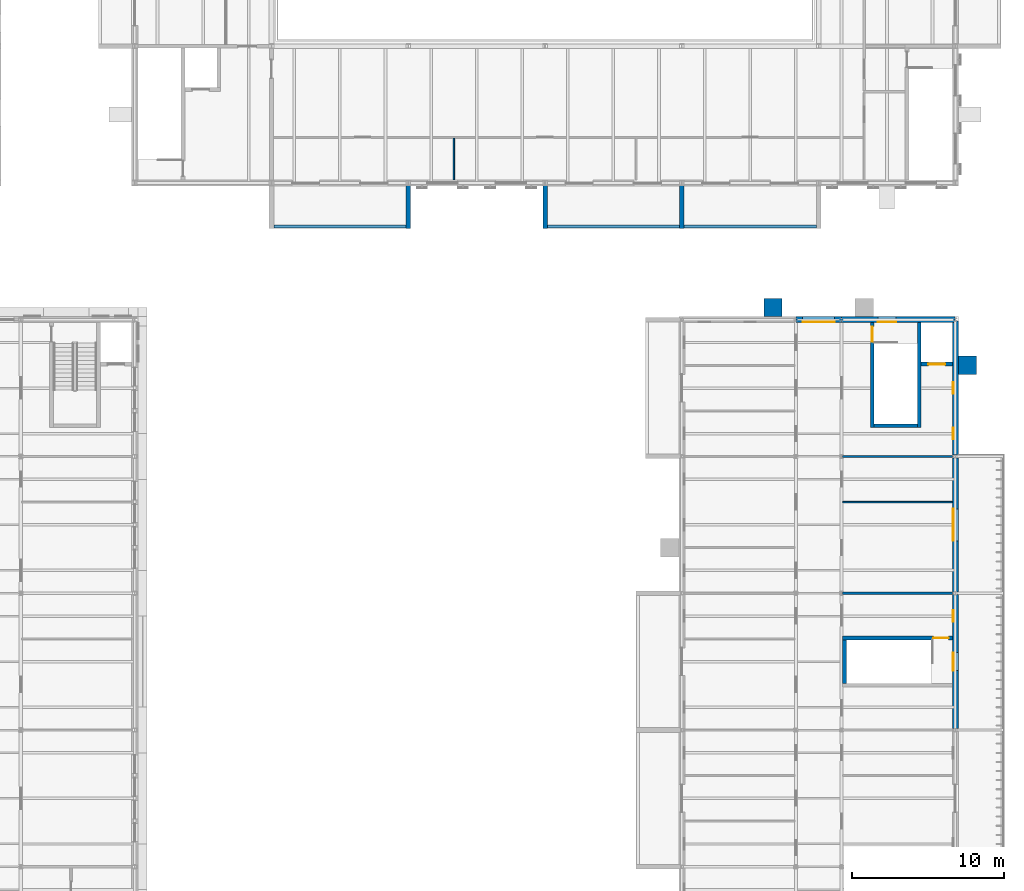
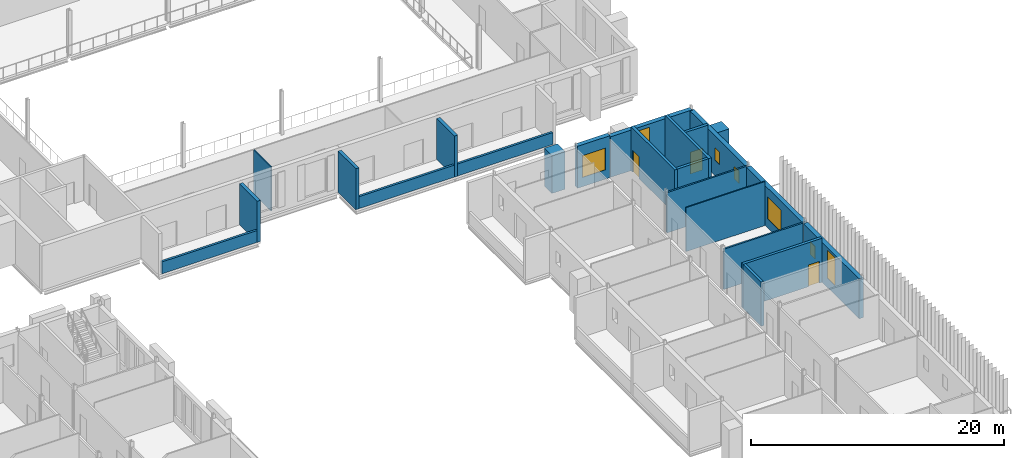
# One storey, part 93 of 131: 23 walls, 7 windows, 3 doors, 10 openings.
"""IFC4 building model written with IfcOpenShell, lengths in metres."""

from ifc_helpers import new_model, si_unit, direction, frame, frame_2d, origin, place, context, subcontext, project, spatial, rectangle, extrude, material, layer, layer_set, type_object, element, fill, save


model = new_model("IFC4")

# Units and contexts
model_context = context("Model", 3, precision=1e-05, world=origin(), true_north=direction((0.0, 1.0)))
body_context = subcontext(model_context, "Body", "Model", "MODEL_VIEW")
ifc_project = project(units=[si_unit("LENGTHUNIT", "METRE"), si_unit("AREAUNIT", "SQUARE_METRE"), si_unit("VOLUMEUNIT", "CUBIC_METRE"), si_unit("PLANEANGLEUNIT", "RADIAN"), si_unit("MASSUNIT", "GRAM", prefix="KILO")], contexts=[model_context])

# Site, building, storey
site_placement = place(None, origin())
site = spatial("IfcSite", under=ifc_project, at=site_placement, CompositionType="ELEMENT")
building_placement = place(site_placement, origin())
building = spatial("IfcBuilding", under=site, at=building_placement, Name="Golden Quay Civic Hall", CompositionType="ELEMENT")
storey_placement = place(building_placement, frame((0.0, 0.0, 9.89990234375)))
storey = spatial("IfcBuildingStorey", under=building, at=storey_placement, Name="L02", CompositionType="ELEMENT", Elevation=9.89990234375)

# Walls
ifc_material_1 = material(Name="Brick, dark clay facing", Category="masonry")
ifc_layer_1 = layer(ifc_material_1, 0.199951171875)
ifc_layer_set_1 = layer_set([ifc_layer_1], Name="Brick balustrade wall 200")
wall_type_1 = type_object("IfcWallType", Name="Brick balustrade wall 200", PredefinedType="STANDARD", material=ifc_layer_set_1)
for number, where, z_axis, x_axis, name in (
    (1, (126.14990234375, 60.1201171875, 0.0), (0.0, 0.0, 1.0), (1.0, 0.0, 0.0), "Brick balustrade wall 200 L02 7"),
    (2, (144.14990234375, 60.1201171875, 0.0), (0.0, 0.0, 1.0), (1.0, 0.0, 0.0), "Brick balustrade wall 200 L02 8"),
    (3, (153.14990234375, 60.1201171875, 0.0), (0.0, 0.0, 1.0), (1.0, 0.0, 0.0), "Brick balustrade wall 200 L02 9"),
):
    element("IfcWall", number, at=place(storey_placement, frame(where, z_axis=z_axis, x_axis=x_axis)), inside=storey, type_object=wall_type_1, Name=name, PredefinedType="STANDARD", context=body_context, shape_type="SweptSolid", body=[
        extrude(rectangle(XDim=8.7001953125, YDim=0.199951171875, at=frame_2d((4.35009765625, 0.0))), origin(), (0.0, 0.0, 1.0), 1.150146484375),
    ])

# Wall, opening, window
ifc_material_2 = material(Name="Brick, dark clay facing", Category="masonry")
ifc_layer_2 = layer(ifc_material_2, 0.39990234375)
ifc_layer_set_2 = layer_set([ifc_layer_2], Name="Brick external wall 400")
wall_type_2 = type_object("IfcWallType", Name="Brick external wall 400", PredefinedType="STANDARD", material=ifc_layer_set_2)
wall_1_placement = place(storey_placement, frame((160.50830078125, 54.0, 0.0), z_axis=(0.0, 0.0, 1.0), x_axis=(1.0, 0.0, 0.0)))
wall_1 = element("IfcWall", 4, at=wall_1_placement, inside=storey, type_object=wall_type_2, Name="Brick external wall 400 L02 19", PredefinedType="STANDARD", context=body_context, shape_type="SweptSolid", body=[
    extrude(rectangle(XDim=2.9833984375, YDim=0.39990234375, at=frame_2d((1.49169921875, 0.0))), origin(), (0.0, 0.0, 1.0), 4.050048828125),
])
opening_1_placement = place(wall_1_placement, frame((0.441650390625, 0.0, 0.89990234375)))
opening_1 = element("IfcOpeningElement", 5, at=opening_1_placement, cuts=wall_1, Name="Opening WN2", PredefinedType="OPENING", context=body_context, shape_type="SweptSolid", body=[
    extrude(rectangle(XDim=2.10009765625, YDim=2.10009765625, at=frame_2d((1.050048828125, 1.050048828125))), frame((0.0, 0.2099609375, 0.0), z_axis=(0.0, -1.0, 0.0), x_axis=(1.0, 0.0, 0.0)), (0.0, 0.0, 1.0), 0.419921875),
])
ifc_material_3 = material(Name="Aluminium frame, double glazed", Category="aluminium")
window_type_1 = type_object("IfcWindowType", Name="Corridor end window 2100 x 2100", PartitioningType="SINGLE_PANEL", PredefinedType="WINDOW", material=ifc_material_3)
window_1_placement = place(opening_1_placement, origin())
window_1 = element("IfcWindow", 6, at=window_1_placement, inside=storey, type_object=window_type_1, Name="Corridor end window 2100 x 2100 L02 4", OverallHeight=2.10009765625, OverallWidth=2.10009765625, PartitioningType="SINGLE_PANEL", PredefinedType="WINDOW", context=body_context, shape_type="SweptSolid", body=[
    extrude(rectangle(XDim=2.10009765625, YDim=2.10009765625, at=frame_2d((1.050048828125, 1.050048828125))), frame((0.0, -0.119873046875, 0.0), z_axis=(0.0, -1.0, 0.0), x_axis=(1.0, 0.0, 0.0)), (0.0, 0.0, 1.0), 0.06005859375),
])
fill(opening_1, window_1)

wall_2_placement = place(storey_placement, frame((171.0, 44.905029296875, 0.0), z_axis=(0.0, 0.0, 1.0), x_axis=(0.0, -1.0, 0.0)))
wall_2 = element("IfcWall", 7, at=wall_2_placement, inside=storey, type_object=wall_type_2, Name="Brick external wall 400 L02 23", PredefinedType="STANDARD", context=body_context, shape_type="SweptSolid", body=[
    extrude(rectangle(XDim=8.81005859375, YDim=0.39990234375, at=frame_2d((4.405029296875, 0.0))), origin(), (0.0, 0.0, 1.0), 3.85009765625),
])
opening_2_placement = place(wall_2_placement, frame((3.35498046875, 0.0, 0.89990234375)))
opening_2 = element("IfcOpeningElement", 8, at=opening_2_placement, cuts=wall_2, Name="Opening WN2", PredefinedType="OPENING", context=body_context, shape_type="SweptSolid", body=[
    extrude(rectangle(XDim=2.10009765625, YDim=2.10009765625, at=frame_2d((1.050048828125, 1.050048828125))), frame((0.0, 0.2099609375, 0.0), z_axis=(0.0, -1.0, 0.0), x_axis=(1.0, 0.0, 0.0)), (0.0, 0.0, 1.0), 0.419921875),
])
window_2_placement = place(opening_2_placement, origin())
window_2 = element("IfcWindow", 9, at=window_2_placement, inside=storey, type_object=window_type_1, Name="Corridor end window 2100 x 2100 L02 5", OverallHeight=2.10009765625, OverallWidth=2.10009765625, PartitioningType="SINGLE_PANEL", PredefinedType="WINDOW", context=body_context, shape_type="SweptSolid", body=[
    extrude(rectangle(XDim=2.10009765625, YDim=2.10009765625, at=frame_2d((1.050048828125, 1.050048828125))), frame((0.0, -0.119873046875, 0.0), z_axis=(0.0, -1.0, 0.0), x_axis=(1.0, 0.0, 0.0)), (0.0, 0.0, 1.0), 0.06005859375),
])
fill(opening_2, window_2)

ifc_material_4 = material(Name="Brick, dark clay facing", Category="masonry")
ifc_layer_3 = layer(ifc_material_4, 0.39990234375)
ifc_layer_set_3 = layer_set([ifc_layer_3], Name="Brick external wall 400 fire EI 60")
wall_type_3 = type_object("IfcWallType", Name="Brick external wall 400 fire EI 60", PredefinedType="STANDARD", material=ifc_layer_set_3)
wall_3_placement = place(storey_placement, frame((163.50830078125, 54.0, 0.0), z_axis=(0.0, 0.0, 1.0), x_axis=(1.0, 0.0, 0.0)))
wall_3 = element("IfcWall", 10, at=wall_3_placement, inside=storey, type_object=wall_type_3, Name="Brick external wall 400 fire EI 60 L02 2", PredefinedType="STANDARD", context=body_context, shape_type="SweptSolid", body=[
    extrude(rectangle(XDim=7.4833984375, YDim=0.39990234375, at=frame_2d((3.74169921875, 0.0))), origin(), (0.0, 0.0, 1.0), 3.920166015625),
])
opening_3_placement = place(wall_3_placement, frame((2.391845703125, 0.0, 0.89990234375)))
opening_3 = element("IfcOpeningElement", 11, at=opening_3_placement, cuts=wall_3, Name="Opening WN13", PredefinedType="OPENING", context=body_context, shape_type="SweptSolid", body=[
    extrude(rectangle(XDim=1.199951171875, YDim=2.699951171875, at=frame_2d((0.60009765625, 1.35009765625))), frame((0.0, 0.2099609375, 0.0), z_axis=(0.0, -1.0, 0.0), x_axis=(1.0, 0.0, 0.0)), (0.0, 0.0, 1.0), 0.419921875),
])
ifc_material_5 = material(Name="Aluminium frame, double glazed", Category="aluminium")
window_type_2 = type_object("IfcWindowType", Name="Stair light window 1200 x 2700", PartitioningType="SINGLE_PANEL", PredefinedType="WINDOW", material=ifc_material_5)
window_3_placement = place(opening_3_placement, origin())
window_3 = element("IfcWindow", 12, at=window_3_placement, inside=storey, type_object=window_type_2, Name="Stair light window 1200 x 2700 L02 2", OverallHeight=2.699951171875, OverallWidth=1.199951171875, PartitioningType="SINGLE_PANEL", PredefinedType="WINDOW", context=body_context, shape_type="SweptSolid", body=[
    extrude(rectangle(XDim=1.199951171875, YDim=2.699951171875, at=frame_2d((0.60009765625, 1.35009765625))), frame((0.0, -0.119873046875, 0.0), z_axis=(0.0, -1.0, 0.0), x_axis=(1.0, 0.0, 0.0)), (0.0, 0.0, 1.0), 0.06005859375),
])
fill(opening_3, window_3)

# Wall, openings, windows
wall_4_placement = place(storey_placement, frame((171.0, 35.905029296875, 0.0), z_axis=(0.0, 0.0, 1.0), x_axis=(0.0, -1.0, 0.0)))
wall_4 = element("IfcWall", 13, at=wall_4_placement, inside=storey, type_object=wall_type_3, Name="Brick external wall 400 fire EI 60 L02 3", PredefinedType="STANDARD", context=body_context, shape_type="SweptSolid", body=[
    extrude(rectangle(XDim=8.81005859375, YDim=0.39990234375, at=frame_2d((4.405029296875, 0.0))), origin(), (0.0, 0.0, 1.0), 3.85009765625),
])
opening_4_placement = place(wall_4_placement, frame((3.804931640625, 0.0, 0.89990234375)))
opening_4 = element("IfcOpeningElement", 14, at=opening_4_placement, cuts=wall_4, Name="Opening WN13", PredefinedType="OPENING", context=body_context, shape_type="SweptSolid", body=[
    extrude(rectangle(XDim=1.199951171875, YDim=2.699951171875, at=frame_2d((0.60009765625, 1.35009765625))), frame((0.0, 0.2099609375, 0.0), z_axis=(0.0, -1.0, 0.0), x_axis=(1.0, 0.0, 0.0)), (0.0, 0.0, 1.0), 0.419921875),
])
opening_5_placement = place(wall_4_placement, frame((1.030029296875, 0.0, 1.5)))
opening_5 = element("IfcOpeningElement", 15, at=opening_5_placement, cuts=wall_4, Name="Opening WN11", PredefinedType="OPENING", context=body_context, shape_type="SweptSolid", body=[
    extrude(rectangle(XDim=0.75, YDim=1.199951171875, at=frame_2d((0.375, 0.60009765625))), frame((0.0, 0.2099609375, 0.0), z_axis=(0.0, -1.0, 0.0), x_axis=(1.0, 0.0, 0.0)), (0.0, 0.0, 1.0), 0.419921875),
])
ifc_material_6 = material(Name="Aluminium frame, double glazed", Category="aluminium")
window_type_3 = type_object("IfcWindowType", Name="Attic pair window 750 x 1200", PartitioningType="SINGLE_PANEL", PredefinedType="WINDOW", material=ifc_material_6)
window_4_placement = place(opening_5_placement, origin())
window_4 = element("IfcWindow", 16, at=window_4_placement, inside=storey, type_object=window_type_3, Name="Attic pair window 750 x 1200 L02 26", OverallHeight=1.199951171875, OverallWidth=0.75, PartitioningType="SINGLE_PANEL", PredefinedType="WINDOW", context=body_context, shape_type="SweptSolid", body=[
    extrude(rectangle(XDim=0.75, YDim=1.199951171875, at=frame_2d((0.375, 0.60009765625))), frame((0.0, -0.119873046875, 0.0), z_axis=(0.0, -1.0, 0.0), x_axis=(1.0, 0.0, 0.0)), (0.0, 0.0, 1.0), 0.06005859375),
])
fill(opening_5, window_4)
window_5_placement = place(opening_4_placement, origin())
window_5 = element("IfcWindow", 17, at=window_5_placement, inside=storey, type_object=window_type_2, Name="Stair light window 1200 x 2700 L02 3", OverallHeight=2.699951171875, OverallWidth=1.199951171875, PartitioningType="SINGLE_PANEL", PredefinedType="WINDOW", context=body_context, shape_type="SweptSolid", body=[
    extrude(rectangle(XDim=1.199951171875, YDim=2.699951171875, at=frame_2d((0.60009765625, 1.35009765625))), frame((0.0, -0.119873046875, 0.0), z_axis=(0.0, -1.0, 0.0), x_axis=(1.0, 0.0, 0.0)), (0.0, 0.0, 1.0), 0.06005859375),
])
fill(opening_4, window_5)

wall_5_placement = place(storey_placement, frame((171.0, 53.905029296875, 0.0), z_axis=(0.0, 0.0, 1.0), x_axis=(0.0, -1.0, 0.0)))
wall_5 = element("IfcWall", 18, at=wall_5_placement, inside=storey, type_object=wall_type_3, Name="Brick external wall 400 fire EI 60 L02 4", PredefinedType="STANDARD", context=body_context, shape_type="SweptSolid", body=[
    extrude(rectangle(XDim=8.81005859375, YDim=0.39990234375, at=frame_2d((4.405029296875, 0.0))), origin(), (0.0, 0.0, 1.0), 3.85009765625),
])
opening_6_placement = place(wall_5_placement, frame((7.030029296875, 0.0, 1.5)))
opening_6 = element("IfcOpeningElement", 19, at=opening_6_placement, cuts=wall_5, Name="Opening WN11", PredefinedType="OPENING", context=body_context, shape_type="SweptSolid", body=[
    extrude(rectangle(XDim=0.75, YDim=1.199951171875, at=frame_2d((0.375, 0.60009765625))), frame((0.0, 0.2099609375, 0.0), z_axis=(0.0, -1.0, 0.0), x_axis=(1.0, 0.0, 0.0)), (0.0, 0.0, 1.0), 0.419921875),
])
opening_7_placement = place(wall_5_placement, frame((4.030029296875, 0.0, 1.5)))
opening_7 = element("IfcOpeningElement", 20, at=opening_7_placement, cuts=wall_5, Name="Opening WN11", PredefinedType="OPENING", context=body_context, shape_type="SweptSolid", body=[
    extrude(rectangle(XDim=0.75, YDim=1.199951171875, at=frame_2d((0.375, 0.60009765625))), frame((0.0, 0.2099609375, 0.0), z_axis=(0.0, -1.0, 0.0), x_axis=(1.0, 0.0, 0.0)), (0.0, 0.0, 1.0), 0.419921875),
])
window_6_placement = place(opening_6_placement, origin())
window_6 = element("IfcWindow", 21, at=window_6_placement, inside=storey, type_object=window_type_3, Name="Attic pair window 750 x 1200 L02 27", OverallHeight=1.199951171875, OverallWidth=0.75, PartitioningType="SINGLE_PANEL", PredefinedType="WINDOW", context=body_context, shape_type="SweptSolid", body=[
    extrude(rectangle(XDim=0.75, YDim=1.199951171875, at=frame_2d((0.375, 0.60009765625))), frame((0.0, -0.119873046875, 0.0), z_axis=(0.0, -1.0, 0.0), x_axis=(1.0, 0.0, 0.0)), (0.0, 0.0, 1.0), 0.06005859375),
])
fill(opening_6, window_6)
window_7_placement = place(opening_7_placement, origin())
window_7 = element("IfcWindow", 22, at=window_7_placement, inside=storey, type_object=window_type_3, Name="Attic pair window 750 x 1200 L02 28", OverallHeight=1.199951171875, OverallWidth=0.75, PartitioningType="SINGLE_PANEL", PredefinedType="WINDOW", context=body_context, shape_type="SweptSolid", body=[
    extrude(rectangle(XDim=0.75, YDim=1.199951171875, at=frame_2d((0.375, 0.60009765625))), frame((0.0, -0.119873046875, 0.0), z_axis=(0.0, -1.0, 0.0), x_axis=(1.0, 0.0, 0.0)), (0.0, 0.0, 1.0), 0.06005859375),
])
fill(opening_7, window_7)

# Walls
ifc_material_7 = material(Name="Brick, dark clay facing", Category="masonry")
ifc_layer_4 = layer(ifc_material_7, 0.300048828125)
ifc_layer_set_4 = layer_set([ifc_layer_4], Name="Brick loggia wall 300")
wall_type_4 = type_object("IfcWallType", Name="Brick loggia wall 300", PredefinedType="STANDARD", material=ifc_layer_set_4)
for number, where, z_axis, x_axis, name in (
    (23, (135.0, 62.820068359375, 0.0), (0.0, 0.0, 1.0), (0.0, -1.0, 0.0), "Brick loggia wall 300 L02 12"),
    (24, (144.0, 62.820068359375, 0.0), (0.0, 0.0, 1.0), (0.0, -1.0, 0.0), "Brick loggia wall 300 L02 13"),
    (25, (153.0, 62.820068359375, 0.0), (0.0, 0.0, 1.0), (0.0, -1.0, 0.0), "Brick loggia wall 300 L02 14"),
):
    element("IfcWall", number, at=place(storey_placement, frame(where, z_axis=z_axis, x_axis=x_axis)), inside=storey, type_object=wall_type_4, Name=name, PredefinedType="STANDARD", context=body_context, shape_type="SweptSolid", body=[
        extrude(rectangle(XDim=2.820068359375, YDim=0.300048828125, at=frame_2d((1.41015625, 0.0))), origin(), (0.0, 0.0, 1.0), 3.97021484375),
    ])
ifc_material_8 = material(Name="Brick, dark clay facing", Category="masonry")
ifc_layer_5 = layer(ifc_material_8, 1.199951171875)
ifc_layer_set_5 = layer_set([ifc_layer_5], Name="Brick pilaster 1200 x 1200")
wall_type_5 = type_object("IfcWallType", Name="Brick pilaster 1200 x 1200", PredefinedType="STANDARD", material=ifc_layer_set_5)
for number, where, z_axis, x_axis, name in (
    (26, (158.39990234375, 54.800048828125, 0.0), (0.0, 0.0, 1.0), (1.0, 0.0, 0.0), "Brick pilaster 1200 x 1200 L02 10"),
    (27, (171.800048828125, 50.39990234375, 0.0), (0.0, 0.0, 1.0), (0.0, 1.0, 0.0), "Brick pilaster 1200 x 1200 L02 13"),
):
    element("IfcWall", number, at=place(storey_placement, frame(where, z_axis=z_axis, x_axis=x_axis)), inside=storey, type_object=wall_type_5, Name=name, PredefinedType="STANDARD", context=body_context, shape_type="SweptSolid", body=[
        extrude(rectangle(XDim=1.2001953125, YDim=1.199951171875, at=frame_2d((0.60009765625, 0.0))), origin(), (0.0, 0.0, 1.0), 3.650146484375),
    ])
ifc_material_9 = material(Name="Concrete C40/50", Category="concrete")
ifc_layer_6 = layer(ifc_material_9, 0.25)
ifc_layer_set_6 = layer_set([ifc_layer_6], Name="Concrete core wall 250, Concrete C40/50")
wall_type_6 = type_object("IfcWallType", Name="Concrete core wall 250", PredefinedType="SHEAR", material=ifc_layer_set_6)
wall_6_placement = place(storey_placement, frame((168.625, 46.89990234375, 0.0), z_axis=(0.0, 0.0, 1.0), x_axis=(0.0, 1.0, 0.0)))
element("IfcWall", 28, at=wall_6_placement, inside=storey, type_object=wall_type_6, Name="Core wall EO-N-W1", PredefinedType="SHEAR", context=body_context, shape_type="SweptSolid", body=[
    extrude(rectangle(XDim=6.900146484375, YDim=0.25, at=frame_2d((3.4501953125, 0.0))), origin(), (0.0, 0.0, 1.0), 4.25),
])

# Wall, opening, door
wall_7_placement = place(storey_placement, frame((165.52490234375, 46.89990234375, 0.0), z_axis=(0.0, 0.0, 1.0), x_axis=(0.0, 1.0, 0.0)))
wall_7 = element("IfcWall", 29, at=wall_7_placement, inside=storey, type_object=wall_type_6, Name="Core wall EO-N-W2", PredefinedType="SHEAR", context=body_context, shape_type="SweptSolid", body=[
    extrude(rectangle(XDim=6.900146484375, YDim=0.25, at=frame_2d((3.4501953125, 0.0))), origin(), (0.0, 0.0, 1.0), 4.25),
])
opening_8_placement = place(wall_7_placement, frame((5.64990234375, 0.0, 0.0)))
opening_8 = element("IfcOpeningElement", 30, at=opening_8_placement, cuts=wall_7, Name="Opening L02-D156", PredefinedType="OPENING", context=body_context, shape_type="SweptSolid", body=[
    extrude(rectangle(XDim=1.0, YDim=2.10009765625, at=frame_2d((0.5, 1.050048828125))), frame((0.0, 0.135009765625, 0.0), z_axis=(0.0, -1.0, 0.0), x_axis=(1.0, 0.0, 0.0)), (0.0, 0.0, 1.0), 0.27001953125),
])
ifc_material_10 = material(Name="Steel", Category="steel")
door_type_1 = type_object("IfcDoorType", Name="Steel fire door FD60 1000 x 2100", OperationType="SINGLE_SWING_LEFT", PredefinedType="DOOR", material=ifc_material_10)
door_1_placement = place(opening_8_placement, frame((1.0, 0.0, 0.0), z_axis=(0.0, 0.0, 1.0), x_axis=(-1.0, 0.0, 0.0)))
door_1 = element("IfcDoor", 31, at=door_1_placement, inside=storey, type_object=door_type_1, Name="Door L02-D156", OperationType="SINGLE_SWING_RIGHT", OverallHeight=2.10009765625, OverallWidth=1.0, PredefinedType="DOOR", context=body_context, shape_type="SweptSolid", body=[
    extrude(rectangle(XDim=1.0, YDim=2.10009765625, at=frame_2d((0.5, 1.050048828125))), frame((0.0, 0.025146484375, 0.0), z_axis=(0.0, -1.0, 0.0), x_axis=(1.0, 0.0, 0.0)), (0.0, 0.0, 1.0), 0.050048828125),
])
fill(opening_8, door_1)

# Wall
wall_8_placement = place(storey_placement, frame((165.64990234375, 47.02490234375, 0.0), z_axis=(0.0, 0.0, 1.0), x_axis=(1.0, 0.0, 0.0)))
element("IfcWall", 32, at=wall_8_placement, inside=storey, type_object=wall_type_6, Name="Core wall EO-N-W3", PredefinedType="SHEAR", context=body_context, shape_type="SweptSolid", body=[
    extrude(rectangle(XDim=2.85009765625, YDim=0.25, at=frame_2d((1.425048828125, 0.0))), origin(), (0.0, 0.0, 1.0), 4.25),
])

# Wall, opening, door
wall_9_placement = place(storey_placement, frame((168.75, 51.074951171875, 0.0), z_axis=(0.0, 0.0, 1.0), x_axis=(1.0, 0.0, 0.0)))
wall_9 = element("IfcWall", 33, at=wall_9_placement, inside=storey, type_object=wall_type_6, Name="Core wall EO-N-W4", PredefinedType="SHEAR", context=body_context, shape_type="SweptSolid", body=[
    extrude(rectangle(XDim=2.050048828125, YDim=0.25, at=frame_2d((1.02490234375, 0.0))), origin(), (0.0, 0.0, 1.0), 4.25),
])
opening_9_placement = place(wall_9_placement, frame((0.47509765625, 0.0, 0.0)))
opening_9 = element("IfcOpeningElement", 34, at=opening_9_placement, cuts=wall_9, Name="Opening L02-D162", PredefinedType="OPENING", context=body_context, shape_type="SweptSolid", body=[
    extrude(rectangle(XDim=1.10009765625, YDim=2.10009765625, at=frame_2d((0.550048828125, 1.050048828125))), frame((0.0, 0.135009765625, 0.0), z_axis=(0.0, -1.0, 0.0), x_axis=(1.0, 0.0, 0.0)), (0.0, 0.0, 1.0), 0.27001953125),
])
ifc_material_11 = material(Name="Steel", Category="steel")
door_type_2 = type_object("IfcDoorType", Name="Lift landing door 1100 x 2100", OperationType="SLIDING_TO_LEFT", PredefinedType="DOOR", material=ifc_material_11)
door_2_placement = place(opening_9_placement, origin())
door_2 = element("IfcDoor", 35, at=door_2_placement, inside=storey, type_object=door_type_2, Name="Lift landing door L02-D162 EO-N", OperationType="SLIDING_TO_LEFT", OverallHeight=2.10009765625, OverallWidth=1.10009765625, PredefinedType="DOOR", context=body_context, shape_type="SweptSolid", body=[
    extrude(rectangle(XDim=1.10009765625, YDim=2.10009765625, at=frame_2d((0.550048828125, 1.050048828125))), frame((0.0, 0.02490234375, 0.0), z_axis=(0.0, -1.0, 0.0), x_axis=(1.0, 0.0, 0.0)), (0.0, 0.0, 1.0), 0.050048828125),
])
fill(opening_9, door_2)

wall_10_placement = place(storey_placement, frame((163.574951171875, 33.050048828125, 0.0), z_axis=(0.0, 0.0, 1.0), x_axis=(1.0, 0.0, 0.0)))
wall_10 = element("IfcWall", 36, at=wall_10_placement, inside=storey, type_object=wall_type_6, Name="Core wall EO-M-W1", PredefinedType="SHEAR", context=body_context, shape_type="SweptSolid", body=[
    extrude(rectangle(XDim=7.22509765625, YDim=0.25, at=frame_2d((3.612548828125, 0.0))), origin(), (0.0, 0.0, 1.0), 4.25),
])
opening_10_placement = place(wall_10_placement, frame((5.97509765625, 0.0, 0.0)))
opening_10 = element("IfcOpeningElement", 37, at=opening_10_placement, cuts=wall_10, Name="Opening L02-D159", PredefinedType="OPENING", context=body_context, shape_type="SweptSolid", body=[
    extrude(rectangle(XDim=1.0, YDim=2.10009765625, at=frame_2d((0.5, 1.050048828125))), frame((0.0, 0.135009765625, 0.0), z_axis=(0.0, -1.0, 0.0), x_axis=(1.0, 0.0, 0.0)), (0.0, 0.0, 1.0), 0.27001953125),
])
door_3_placement = place(opening_10_placement, frame((1.0, 0.0, 0.0), z_axis=(0.0, 0.0, 1.0), x_axis=(-1.0, 0.0, 0.0)))
door_3 = element("IfcDoor", 38, at=door_3_placement, inside=storey, type_object=door_type_1, Name="Door L02-D159", OperationType="SINGLE_SWING_RIGHT", OverallHeight=2.10009765625, OverallWidth=1.0, PredefinedType="DOOR", context=body_context, shape_type="SweptSolid", body=[
    extrude(rectangle(XDim=1.0, YDim=2.10009765625, at=frame_2d((0.5, 1.050048828125))), frame((0.0, 0.025146484375, 0.0), z_axis=(0.0, -1.0, 0.0), x_axis=(1.0, 0.0, 0.0)), (0.0, 0.0, 1.0), 0.050048828125),
])
fill(opening_10, door_3)

# Walls
wall_11_placement = place(storey_placement, frame((163.699951171875, 30.074951171875, 0.0), z_axis=(0.0, 0.0, 1.0), x_axis=(0.0, 1.0, 0.0)))
element("IfcWall", 39, at=wall_11_placement, inside=storey, type_object=wall_type_6, Name="Core wall EO-M-W3", PredefinedType="SHEAR", context=body_context, shape_type="SweptSolid", body=[
    extrude(rectangle(XDim=2.85009765625, YDim=0.25, at=frame_2d((1.425048828125, 0.0))), origin(), (0.0, 0.0, 1.0), 4.25),
])
ifc_material_12 = material(Name="Plasterboard on steel studs", Category="steel")
ifc_layer_7 = layer(ifc_material_12, 0.10009765625)
ifc_layer_set_7 = layer_set([ifc_layer_7], Name="Partition 100 stud")
wall_type_7 = type_object("IfcWallType", Name="Partition 100 stud", PredefinedType="PARTITIONING", material=ifc_layer_set_7)
wall_12_placement = place(storey_placement, frame((163.574951171875, 42.0, 0.0), z_axis=(0.0, 0.0, 1.0), x_axis=(1.0, 0.0, 0.0)))
element("IfcWall", 40, at=wall_12_placement, inside=storey, type_object=wall_type_7, Name="Partition L02-005", PredefinedType="PARTITIONING", context=body_context, shape_type="SweptSolid", body=[
    extrude(rectangle(XDim=7.22509765625, YDim=0.10009765625, at=frame_2d((3.612548828125, 0.0))), origin(), (0.0, 0.0, 1.0), 4.25),
])
wall_13_placement = place(storey_placement, frame((138.0, 63.199951171875, 0.0), z_axis=(0.0, 0.0, 1.0), x_axis=(0.0, 1.0, 0.0)))
element("IfcWall", 41, at=wall_13_placement, inside=storey, type_object=wall_type_7, Name="L02 partition V21-0.20", PredefinedType="PARTITIONING", context=body_context, shape_type="SweptSolid", body=[
    extrude(rectangle(XDim=2.75, YDim=0.10009765625, at=frame_2d((1.375, 0.0))), origin(), (0.0, 0.0, 1.0), 4.25),
])
ifc_material_13 = material(Name="Plasterboard on steel studs", Category="steel")
ifc_layer_8 = layer(ifc_material_13, 0.14990234375)
ifc_layer_set_8 = layer_set([ifc_layer_8], Name="Partition 150 stud fire EI 60")
wall_type_8 = type_object("IfcWallType", Name="Partition 150 stud fire EI 60", PredefinedType="PARTITIONING", material=ifc_layer_set_8)
for number, where, z_axis, x_axis, name in (
    (42, (163.574951171875, 36.0, 0.0), (0.0, 0.0, 1.0), (1.0, 0.0, 0.0), "Partition L02-004"),
    (43, (163.574951171875, 45.0, 0.0), (0.0, 0.0, 1.0), (1.0, 0.0, 0.0), "Partition L02-006"),
):
    element("IfcWall", number, at=place(storey_placement, frame(where, z_axis=z_axis, x_axis=x_axis)), inside=storey, type_object=wall_type_8, Name=name, PredefinedType="PARTITIONING", context=body_context, shape_type="SweptSolid", body=[
        extrude(rectangle(XDim=7.22509765625, YDim=0.14990234375, at=frame_2d((3.612548828125, 0.0))), origin(), (0.0, 0.0, 1.0), 3.900146484375),
    ])

save(model, "model.ifc")
